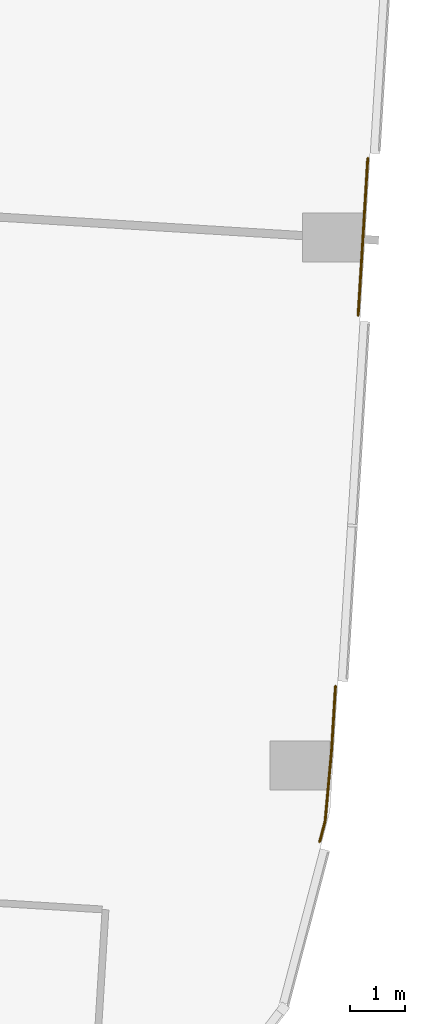
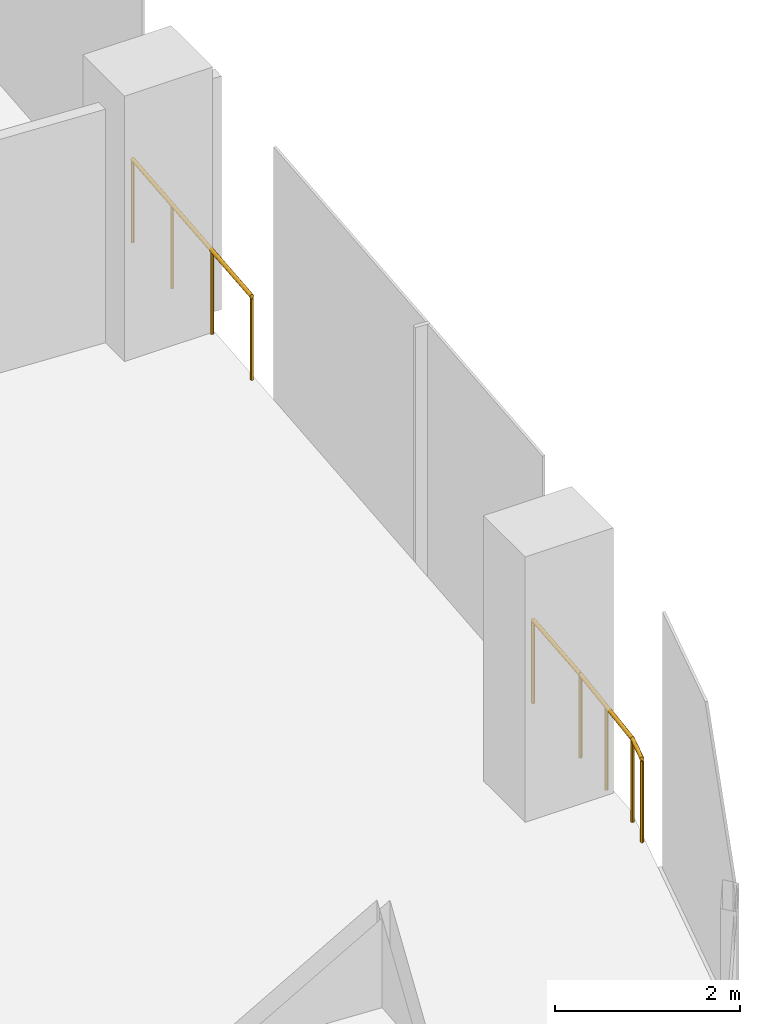
# One storey, part 32 of 34: 4 railings.
"""IFC4 building model written with IfcOpenShell, lengths in metres."""

from ifc_helpers import new_model, si_unit, direction, frame, origin, origin_2d, place, context, subcontext, project, spatial, circle, extrude, material, type_object, element, save


model = new_model("IFC4")

# Units and contexts
model_context = context("Model", 3, precision=1e-05, world=origin(), true_north=direction((0.0, 1.0)))
body_context = subcontext(model_context, "Body", "Model", "MODEL_VIEW")
ifc_project = project(units=[si_unit("LENGTHUNIT", "METRE"), si_unit("AREAUNIT", "SQUARE_METRE"), si_unit("VOLUMEUNIT", "CUBIC_METRE"), si_unit("PLANEANGLEUNIT", "RADIAN"), si_unit("MASSUNIT", "GRAM", prefix="KILO")], contexts=[model_context])

# Site, building, storey
site_placement = place(None, origin())
site = spatial("IfcSite", under=ifc_project, at=site_placement, CompositionType="ELEMENT")
building_placement = place(site_placement, origin())
building = spatial("IfcBuilding", under=site, at=building_placement, Name="Orlundy Tower", CompositionType="ELEMENT")
storey_placement = place(building_placement, frame((0.0, 0.0, 145.60009765625)))
storey = spatial("IfcBuildingStorey", under=building, at=storey_placement, Name="L37", CompositionType="ELEMENT", Elevation=145.60009765625)

# Railings
ifc_material = material(Name="Stainless steel bronze finish", Category="steel")
railing_type = type_object("IfcRailingType", Name="TG1 terrace guard", PredefinedType="GUARDRAIL", material=ifc_material)
railing_1_placement = place(storey_placement, frame((60.43798828125, -2.203369140625, 0.0)))
element("IfcRailing", 1, at=railing_1_placement, inside=storey, type_object=railing_type, Name="Guard TG-L37-E07", PredefinedType="GUARDRAIL", context=body_context, shape_type="SweptSolid", body=[
    extrude(circle(Radius=0.02490234375, at=origin_2d()), frame((0.0, 0.0, 1.09521484375), z_axis=(-0.061041304754, -0.998135240894, 0.0), x_axis=(0.998135240894, -0.061041304754, 0.0)), (0.0, 0.0, 1.0), 2.8876953125),
    extrude(circle(Radius=0.02001953125, at=origin_2d()), origin(), (0.0, 0.0, 1.0), 1.070068359375),
    extrude(circle(Radius=0.02001953125, at=origin_2d()), frame((-0.058837890625, -0.960693359375, 0.0)), (0.0, 0.0, 1.0), 1.070068359375),
    extrude(circle(Radius=0.02001953125, at=origin_2d()), frame((-0.117431640625, -1.921630859375, 0.0)), (0.0, 0.0, 1.0), 1.070068359375),
    extrude(circle(Radius=0.02001953125, at=origin_2d()), frame((-0.17626953125, -2.88232421875, 0.0)), (0.0, 0.0, 1.0), 1.070068359375),
])
railing_2_placement = place(storey_placement, frame((59.77587890625, -13.0283203125, 0.0)))
element("IfcRailing", 2, at=railing_2_placement, inside=storey, type_object=railing_type, Name="Guard TG-L37-E025", PredefinedType="GUARDRAIL", context=body_context, shape_type="SweptSolid", body=[
    extrude(circle(Radius=0.02490234375, at=origin_2d()), frame((0.0, 0.0, 1.09521484375), z_axis=(-0.08947978035, -0.995988638946, 0.0), x_axis=(0.995988638946, -0.08947978035, 0.0)), (0.0, 0.0, 1.0), 1.334228515625),
    extrude(circle(Radius=0.02001953125, at=origin_2d()), origin(), (0.0, 0.0, 1.0), 1.070068359375),
    extrude(circle(Radius=0.02001953125, at=origin_2d()), frame((-0.0595703125, -0.66455078125, 0.0)), (0.0, 0.0, 1.0), 1.070068359375),
    extrude(circle(Radius=0.02001953125, at=origin_2d()), frame((-0.119384765625, -1.328857421875, 0.0)), (0.0, 0.0, 1.0), 1.070068359375),
])
railing_3_placement = place(storey_placement, frame((59.84619140625, -11.881591796875, 0.0)))
element("IfcRailing", 3, at=railing_3_placement, inside=storey, type_object=railing_type, Name="Guard TG-L37-E026", PredefinedType="GUARDRAIL", context=body_context, shape_type="SweptSolid", body=[
    extrude(circle(Radius=0.02490234375, at=origin_2d()), frame((0.0, 0.0, 1.09521484375), z_axis=(-0.061200795534, -0.99812547439, 0.0), x_axis=(0.99812547439, -0.061200795534, 0.0)), (0.0, 0.0, 1.0), 1.14892578125),
    extrude(circle(Radius=0.02001953125, at=origin_2d()), origin(), (0.0, 0.0, 1.0), 1.070068359375),
    extrude(circle(Radius=0.02001953125, at=origin_2d()), frame((-0.0703125, -1.146728515625, 0.0)), (0.0, 0.0, 1.0), 1.070068359375),
])
railing_4_placement = place(storey_placement, frame((59.656494140625, -14.357177734375, 0.0)))
element("IfcRailing", 4, at=railing_4_placement, inside=storey, type_object=railing_type, Name="Guard TG-L37-E032", PredefinedType="GUARDRAIL", context=body_context, shape_type="SweptSolid", body=[
    extrude(circle(Radius=0.02490234375, at=origin_2d()), frame((0.0, 0.0, 1.09521484375), z_axis=(-0.254952397563, -0.96695360539, 0.0), x_axis=(0.96695360539, -0.254952397563, 0.0)), (0.0, 0.0, 1.0), 0.392578125),
    extrude(circle(Radius=0.02001953125, at=origin_2d()), origin(), (0.0, 0.0, 1.0), 1.070068359375),
    extrude(circle(Radius=0.02001953125, at=origin_2d()), frame((-0.10009765625, -0.379638671875, 0.0)), (0.0, 0.0, 1.0), 1.070068359375),
])

save(model, "model.ifc")
